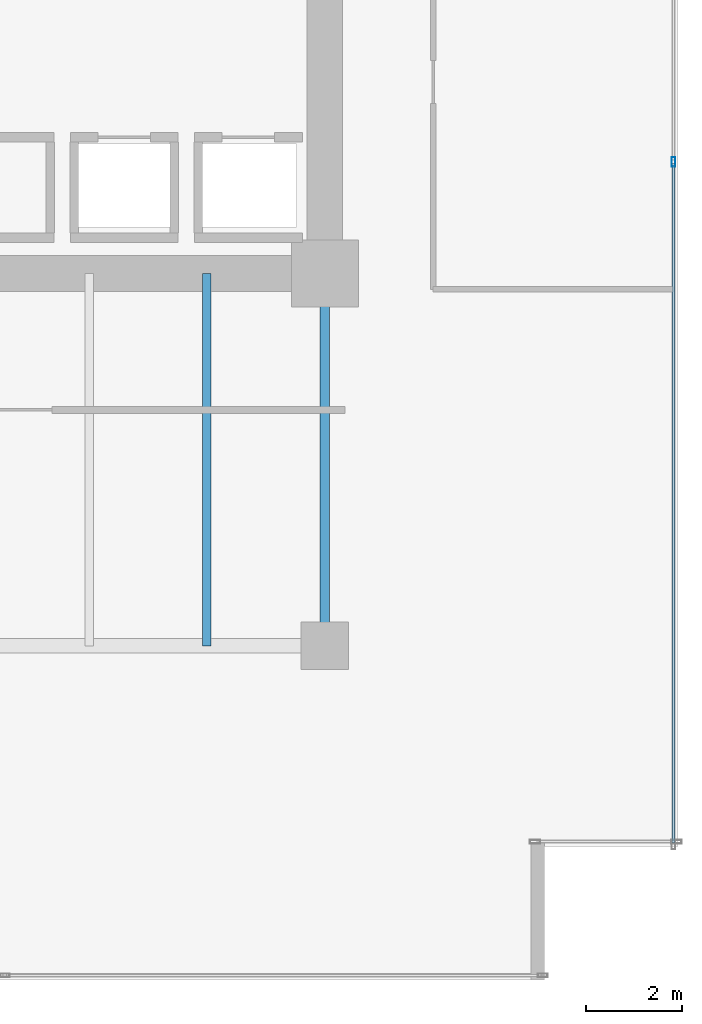
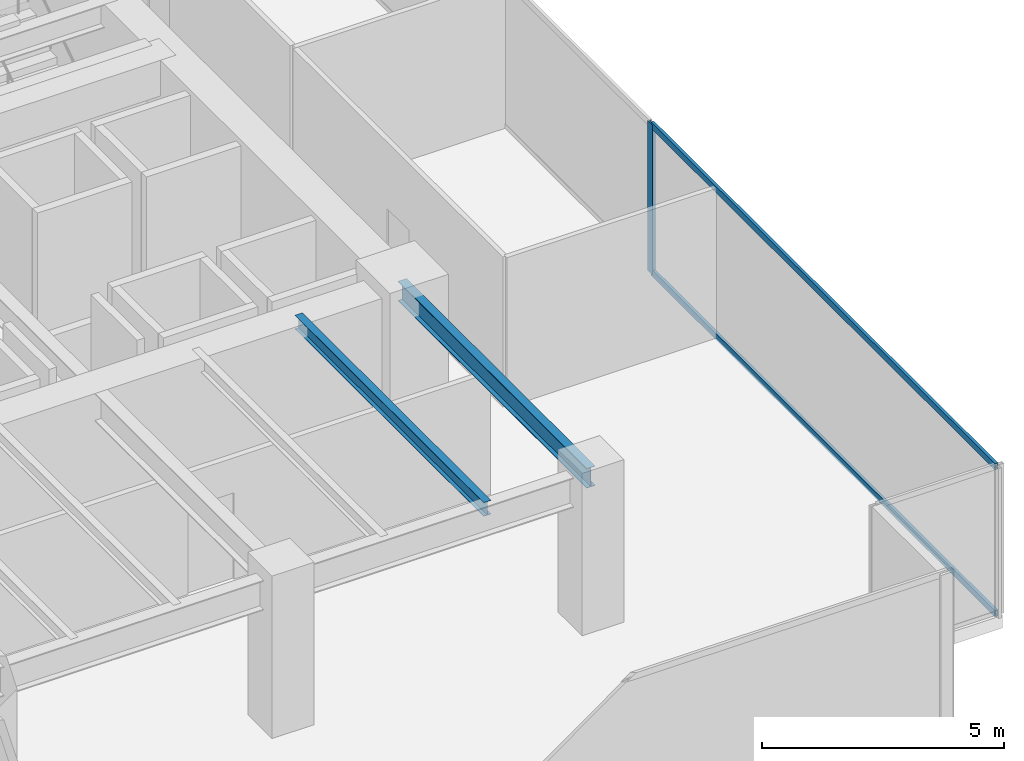
# One storey, part 24 of 35: 3 members, 2 beams, 1 element without a shape of its own.
"""IFC4 building model written with IfcOpenShell, lengths in metres."""

from ifc_helpers import new_model, si_unit, direction, frame, origin, origin_2d, place, context, subcontext, project, spatial, hollow_rectangle, i_section, extrude, source, transform, mapped, material, layer, layer_set, material_profile, profile_set, type_object, type_shapes, element, aggregate, save


model = new_model("IFC4")

# Units and contexts
model_context = context("Model", 3, precision=1e-05, world=origin(), true_north=direction((0.0, 1.0)))
body_context = subcontext(model_context, "Body", "Model", "MODEL_VIEW")
ifc_project = project(units=[si_unit("LENGTHUNIT", "METRE"), si_unit("AREAUNIT", "SQUARE_METRE"), si_unit("VOLUMEUNIT", "CUBIC_METRE"), si_unit("PLANEANGLEUNIT", "RADIAN"), si_unit("MASSUNIT", "GRAM", prefix="KILO")], contexts=[model_context])

# Site, building, storey
site_placement = place(None, origin())
site = spatial("IfcSite", under=ifc_project, at=site_placement, CompositionType="ELEMENT")
building_placement = place(site_placement, origin())
building = spatial("IfcBuilding", under=site, at=building_placement, Name="Haelvirn Gate Laboratories", CompositionType="ELEMENT")
storey_placement = place(building_placement, frame((0.0, 0.0, 37.5)))
storey = spatial("IfcBuildingStorey", under=building, at=storey_placement, Name="L09", CompositionType="ELEMENT", Elevation=37.5)

# Beams
ifc_material_1 = material(Name="Steel SM355", Category="steel")
ifc_material_profile_1 = material_profile(ifc_material_1, i_section(OverallWidth=0.199951171875, OverallDepth=0.5, WebThickness=0.010009765625, FlangeThickness=0.01611328125, at=origin_2d()), Name="H-500x200x10x16")
ifc_profile_set_1 = profile_set([ifc_material_profile_1], Name="Steel SM355")
beam_type_1 = type_object("IfcBeamType", Name="BM-SP-500", PredefinedType="SPANDREL", material=ifc_profile_set_1)
shared_shape_1 = source(origin(), body_context, "Body", "SweptSolid", [
    extrude(i_section(OverallWidth=0.199951171875, OverallDepth=0.5, WebThickness=0.010009765625, FlangeThickness=0.01611328125, at=origin_2d()), origin(), (0.0, 0.0, 1.0), 7.800048828125),
])
type_shapes(beam_type_1, [shared_shape_1])
beam_1_placement = place(storey_placement, frame((67.39990234375, 7.0, 3.530029296875), z_axis=(0.0, 1.0, 0.0), x_axis=(-1.0, 0.0, 0.0)))
element("IfcBeam", 1, at=beam_1_placement, inside=storey, type_object=beam_type_1, Name="L09 Perimeter Spandrel X67.4 (7.0-14.8)", PredefinedType="SPANDREL", context=body_context, shape_type="MappedRepresentation", body=[
    mapped(shared_shape_1, transform((0.0, 0.0, 0.0), scale=1.0)),
])
ifc_material_profile_2 = material_profile(ifc_material_1, i_section(OverallWidth=0.175048828125, OverallDepth=0.35009765625, WebThickness=0.007080078125, FlangeThickness=0.010986328125, at=origin_2d()), Name="H-350x175x7x11")
ifc_profile_set_2 = profile_set([ifc_material_profile_2], Name="Steel SM355")
beam_type_2 = type_object("IfcBeamType", Name="BM-J-350", PredefinedType="JOIST", material=ifc_profile_set_2)
shared_shape_2 = source(origin(), body_context, "Body", "SweptSolid", [
    extrude(i_section(OverallWidth=0.175048828125, OverallDepth=0.35009765625, WebThickness=0.007080078125, FlangeThickness=0.010986328125, at=origin_2d()), origin(), (0.0, 0.0, 1.0), 7.800048828125),
])
type_shapes(beam_type_2, [shared_shape_2])
beam_2_placement = place(storey_placement, frame((64.929931640625, 7.0, 3.60498046875), z_axis=(0.0, 1.0, 0.0), x_axis=(-1.0, 0.0, 0.0)))
element("IfcBeam", 2, at=beam_2_placement, inside=storey, type_object=beam_type_2, Name="L09 Composite Lab Joist South X64.93", PredefinedType="JOIST", context=body_context, shape_type="MappedRepresentation", body=[
    mapped(shared_shape_2, transform((0.0, 0.0, 0.0), scale=1.0)),
])

# Curtain wall, members
ifc_material_2 = material(Name="Anodised bronze unitised aluminium & triple low-E glass", Category="aluminium")
ifc_layer = layer(ifc_material_2, 0.18408203125, Name="CW-SYS-2")
ifc_layer_set = layer_set([ifc_layer], Name="Anodised bronze unitised aluminium & triple low-E glass")
curtain_wall_type = type_object("IfcCurtainWallType", Name="CW-SYS-2", PredefinedType="NOTDEFINED", material=ifc_layer_set)
curtain_wall_placement = place(storey_placement, origin())
curtain_wall = element("IfcCurtainWall", 3, at=curtain_wall_placement, inside=storey, type_object=curtain_wall_type, Name="L09 Unitised Curtain Wall CW-L09-P0-E07", PredefinedType="NOTDEFINED")
ifc_material_3 = material(Name="Extruded aluminium 6063-T6 (anodised bronze)", Category="aluminium")
ifc_material_profile_3 = material_profile(ifc_material_3, hollow_rectangle(XDim=0.074951171875, YDim=0.199951171875, WallThickness=0.0048828125, at=origin_2d()), Name="CWM-200x75x5")
ifc_profile_set_3 = profile_set([ifc_material_profile_3], Name="Extruded aluminium 6063-T6 (anodised bronze)")
member_type_1 = type_object("IfcMemberType", Name="CWM-T200", PredefinedType="MULLION", material=ifc_profile_set_3)
shared_shape_3 = source(origin(), body_context, "Body", "SweptSolid", [
    extrude(hollow_rectangle(XDim=0.074951171875, YDim=0.199951171875, WallThickness=0.0048828125, at=origin_2d()), origin(), (0.0, 0.0, 1.0), 3.780029296875),
])
type_shapes(member_type_1, [shared_shape_3])
member_1_placement = place(storey_placement, frame((74.699951171875, 17.13330078125, 0.0), z_axis=(0.0, 0.0, 1.0), x_axis=(-1.0, 0.0, 0.0)))
member_1 = element("IfcMember", 4, at=member_1_placement, type_object=member_type_1, Name="CW2 mullion 2", PredefinedType="MULLION", context=body_context, shape_type="MappedRepresentation", body=[
    mapped(shared_shape_3, transform((0.0, 0.0, 0.0), scale=1.0)),
])
ifc_material_profile_4 = material_profile(ifc_material_3, hollow_rectangle(XDim=0.070068359375, YDim=0.159912109375, WallThickness=0.0048828125, at=origin_2d()), Name="CWT-160x70x5")
ifc_profile_set_4 = profile_set([ifc_material_profile_4], Name="Extruded aluminium 6063-T6 (anodised bronze)")
member_type_2 = type_object("IfcMemberType", Name="CWT-T160", PredefinedType="USERDEFINED", material=ifc_profile_set_4)
shared_shape_4 = source(origin(), body_context, "Body", "SweptSolid", [
    extrude(hollow_rectangle(XDim=0.070068359375, YDim=0.159912109375, WallThickness=0.0048828125, at=origin_2d()), origin(), (0.0, 0.0, 1.0), 14.220947265625),
])
type_shapes(member_type_2, [shared_shape_4])
member_2_placement = place(storey_placement, frame((74.699951171875, 2.875, 0.034912109375), z_axis=(0.0, 1.0, 0.0), x_axis=(-1.0, 0.0, 0.0)))
member_2 = element("IfcMember", 5, at=member_2_placement, type_object=member_type_2, Name="CW2 transom 1.1", ObjectType="TRANSOM", PredefinedType="USERDEFINED", context=body_context, shape_type="MappedRepresentation", body=[
    mapped(shared_shape_4, transform((0.0, 0.0, 0.0), scale=1.0)),
])
member_3_placement = place(storey_placement, frame((74.699951171875, 2.875, 3.7451171875), z_axis=(0.0, 1.0, 0.0), x_axis=(-1.0, 0.0, 0.0)))
member_3 = element("IfcMember", 6, at=member_3_placement, type_object=member_type_2, Name="CW2 transom 1.2", ObjectType="TRANSOM", PredefinedType="USERDEFINED", context=body_context, shape_type="MappedRepresentation", body=[
    mapped(shared_shape_4, transform((0.0, 0.0, 0.0), scale=1.0)),
])
aggregate(curtain_wall, [member_1, member_2, member_3])

save(model, "model.ifc")
